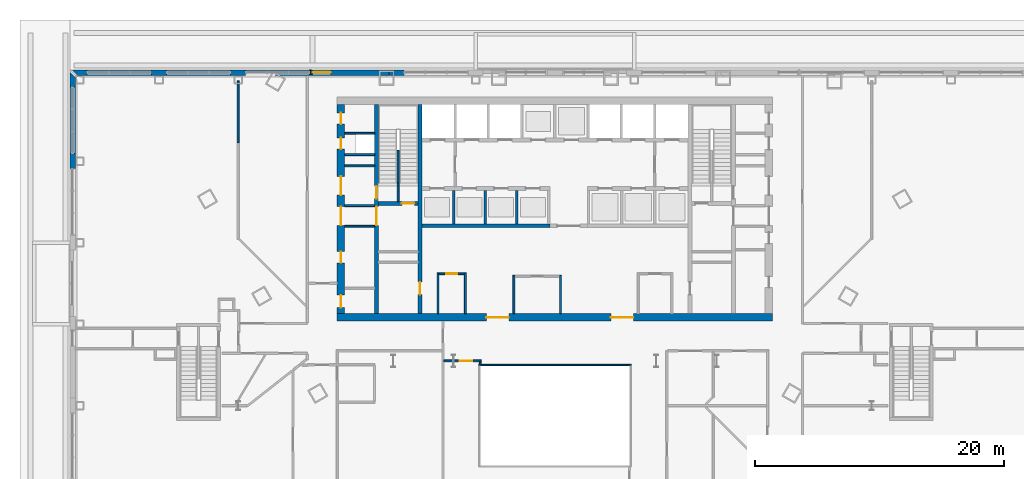
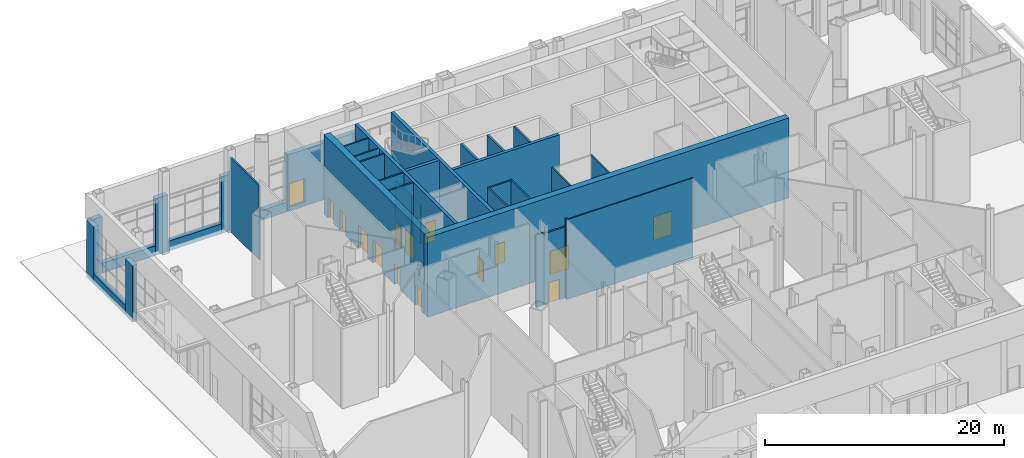
# One storey, part 20 of 34: 39 walls, 15 doors, 15 openings.
"""IFC4 building model written with IfcOpenShell, lengths in metres."""

from ifc_helpers import new_model, si_unit, direction, frame, frame_2d, origin, place, context, subcontext, project, spatial, polyline, rectangle, outline, extrude, material, layer, layer_set, type_object, element, fill, save


model = new_model("IFC4")

# Units and contexts
model_context = context("Model", 3, precision=1e-05, world=origin(), true_north=direction((0.0, 1.0)))
body_context = subcontext(model_context, "Body", "Model", "MODEL_VIEW")
ifc_project = project(units=[si_unit("LENGTHUNIT", "METRE"), si_unit("AREAUNIT", "SQUARE_METRE"), si_unit("VOLUMEUNIT", "CUBIC_METRE"), si_unit("PLANEANGLEUNIT", "RADIAN"), si_unit("MASSUNIT", "GRAM", prefix="KILO")], contexts=[model_context])

# Site, building, storey
site_placement = place(None, origin())
site = spatial("IfcSite", under=ifc_project, at=site_placement, CompositionType="ELEMENT")
building_placement = place(site_placement, origin())
building = spatial("IfcBuilding", under=site, at=building_placement, Name="Njiva Tower", CompositionType="ELEMENT")
storey_placement = place(building_placement, origin())
storey = spatial("IfcBuildingStorey", under=building, at=storey_placement, Name="L00", CompositionType="ELEMENT", Elevation=0.0)

# Walls
ifc_material_1 = material(Name="Blockwork", Category="masonry")
ifc_layer_1 = layer(ifc_material_1, 0.15)
ifc_layer_set_1 = layer_set([ifc_layer_1], Name="Blockwork")
wall_type_1 = type_object("IfcWallType", Name="WT1 Compartment partition 150", PredefinedType="PARTITIONING", material=ifc_layer_set_1)
for number, where, z_axis, x_axis, name in (
    (1, (-9.4, 0.6, 0.0), (0.0, 0.0, 1.0), (0.0, 1.0, 0.0), "Concierge office wall west"),
    (2, (-7.2, 0.6, 0.0), (0.0, 0.0, 1.0), (0.0, 1.0, 0.0), "Concierge office wall east"),
):
    element("IfcWall", number, at=place(storey_placement, frame(where, z_axis=z_axis, x_axis=x_axis)), inside=storey, type_object=wall_type_1, Name=name, PredefinedType="PARTITIONING", context=body_context, shape_type="SweptSolid", body=[
        extrude(rectangle(XDim=3.275, YDim=0.15, at=frame_2d((1.6375, 0.0))), origin(), (0.0, 0.0, 1.0), 8.18),
    ])

# Wall, opening, door
wall_1_placement = place(storey_placement, frame((-9.325, 3.8, 0.0), z_axis=(0.0, 0.0, 1.0), x_axis=(1.0, 0.0, 0.0)))
wall_1 = element("IfcWall", 3, at=wall_1_placement, inside=storey, type_object=wall_type_1, Name="Concierge office wall north", PredefinedType="PARTITIONING", context=body_context, shape_type="SweptSolid", body=[
    extrude(rectangle(XDim=2.05, YDim=0.15, at=frame_2d((1.025, 0.0))), origin(), (0.0, 0.0, 1.0), 8.18),
])
opening_1_placement = place(wall_1_placement, frame((0.575, 0.0, 0.0)))
opening_1 = element("IfcOpeningElement", 4, at=opening_1_placement, cuts=wall_1, Name="Opening L00-D938", PredefinedType="OPENING", context=body_context, shape_type="SweptSolid", body=[
    extrude(rectangle(XDim=0.9, YDim=2.1, at=frame_2d((0.45, 1.05))), frame((0.0, 0.085, 0.0), z_axis=(0.0, -1.0, 0.0), x_axis=(1.0, 0.0, 0.0)), (0.0, 0.0, 1.0), 0.17),
])
ifc_material_2 = material(Name="Steel fire door, painted", Category="steel")
door_type_1 = type_object("IfcDoorType", Name="D6 Fire-rated door 900x2100", OperationType="SINGLE_SWING_LEFT", PredefinedType="DOOR", material=ifc_material_2)
door_1_placement = place(opening_1_placement, origin())
door_1 = element("IfcDoor", 5, at=door_1_placement, inside=storey, type_object=door_type_1, Name="Concierge office door", OperationType="SINGLE_SWING_RIGHT", OverallHeight=2.1, OverallWidth=0.9, PredefinedType="DOOR", context=body_context, shape_type="SweptSolid", body=[
    extrude(rectangle(XDim=0.9, YDim=2.1, at=frame_2d((0.45, 1.05))), frame((0.0, 0.025, 0.0), z_axis=(0.0, -1.0, 0.0), x_axis=(1.0, 0.0, 0.0)), (0.0, 0.0, 1.0), 0.05),
])
fill(opening_1, door_1)

# Walls
for number, where, z_axis, x_axis, name in (
    (6, (-3.3, 0.6, 0.0), (0.0, 0.0, 1.0), (0.0, 1.0, 0.0), "Post room wall west"),
    (7, (0.45, 0.6, 0.0), (0.0, 0.0, 1.0), (0.0, 1.0, 0.0), "Post room wall east"),
):
    element("IfcWall", number, at=place(storey_placement, frame(where, z_axis=z_axis, x_axis=x_axis)), inside=storey, type_object=wall_type_1, Name=name, PredefinedType="PARTITIONING", context=body_context, shape_type="SweptSolid", body=[
        extrude(rectangle(XDim=3.075, YDim=0.15, at=frame_2d((1.5375, 0.0))), origin(), (0.0, 0.0, 1.0), 8.18),
    ])

# Wall, opening, door
ifc_material_3 = material(Name="Concrete C40/50", Category="concrete")
ifc_layer_2 = layer(ifc_material_3, 0.3)
ifc_layer_set_2 = layer_set([ifc_layer_2], Name="Concrete C40/50")
wall_type_2 = type_object("IfcWallType", Name="WT10 Stair enclosure wall 300", PredefinedType="SHEAR", material=ifc_layer_set_2)
wall_2_placement = place(storey_placement, frame((-10.85, 0.6, 0.0), z_axis=(0.0, 0.0, 1.0), x_axis=(0.0, 1.0, 0.0)))
wall_2 = element("IfcWall", 8, at=wall_2_placement, inside=storey, type_object=wall_type_2, Name="Stair wall west inner", PredefinedType="SHEAR", context=body_context, shape_type="SweptSolid", body=[
    extrude(rectangle(XDim=16.8, YDim=0.3, at=frame_2d((8.4, 0.0))), origin(), (0.0, 0.0, 1.0), 8.18),
])
opening_2_placement = place(wall_2_placement, frame((1.525, 0.0, 0.0)))
opening_2 = element("IfcOpeningElement", 9, at=opening_2_placement, cuts=wall_2, Name="Opening L00-D919", PredefinedType="OPENING", context=body_context, shape_type="SweptSolid", body=[
    extrude(rectangle(XDim=1.0, YDim=2.1, at=frame_2d((0.5, 1.05))), frame((0.0, 0.16, 0.0), z_axis=(0.0, -1.0, 0.0), x_axis=(1.0, 0.0, 0.0)), (0.0, 0.0, 1.0), 0.32),
])
ifc_material_4 = material(Name="Steel door, painted", Category="steel")
door_type_2 = type_object("IfcDoorType", Name="D5 Steel door 1000x2100", OperationType="SINGLE_SWING_LEFT", PredefinedType="DOOR", material=ifc_material_4)
door_2_placement = place(opening_2_placement, origin())
door_2 = element("IfcDoor", 10, at=door_2_placement, inside=storey, type_object=door_type_2, Name="Fire command room door", OperationType="SINGLE_SWING_RIGHT", OverallHeight=2.1, OverallWidth=1.0, PredefinedType="DOOR", context=body_context, shape_type="SweptSolid", body=[
    extrude(rectangle(XDim=1.0, YDim=2.1, at=frame_2d((0.5, 1.05))), frame((0.0, 0.025, 0.0), z_axis=(0.0, -1.0, 0.0), x_axis=(1.0, 0.0, 0.0)), (0.0, 0.0, 1.0), 0.05),
])
fill(opening_2, door_2)

# Wall, openings, doors
wall_3_placement = place(storey_placement, frame((-14.35, 0.6, 0.0), z_axis=(0.0, 0.0, 1.0), x_axis=(0.0, 1.0, 0.0)))
wall_3 = element("IfcWall", 11, at=wall_3_placement, inside=storey, type_object=wall_type_2, Name="Stair wall west outer", PredefinedType="SHEAR", context=body_context, shape_type="SweptSolid", body=[
    extrude(rectangle(XDim=16.8, YDim=0.3, at=frame_2d((8.4, 0.0))), origin(), (0.0, 0.0, 1.0), 8.18),
])
opening_3_placement = place(wall_3_placement, frame((9.25, 0.0, 0.0)))
opening_3 = element("IfcOpeningElement", 12, at=opening_3_placement, cuts=wall_3, Name="Opening L00-D918", PredefinedType="OPENING", context=body_context, shape_type="SweptSolid", body=[
    extrude(rectangle(XDim=1.0, YDim=2.1, at=frame_2d((0.5, 1.05))), frame((0.0, 0.16, 0.0), z_axis=(0.0, -1.0, 0.0), x_axis=(1.0, 0.0, 0.0)), (0.0, 0.0, 1.0), 0.32),
])
opening_4_placement = place(wall_3_placement, frame((7.1, 0.0, 0.0)))
opening_4 = element("IfcOpeningElement", 13, at=opening_4_placement, cuts=wall_3, Name="Opening L00-D924", PredefinedType="OPENING", context=body_context, shape_type="SweptSolid", body=[
    extrude(rectangle(XDim=1.5, YDim=2.4, at=frame_2d((0.75, 1.2))), frame((0.0, 0.16, 0.0), z_axis=(0.0, -1.0, 0.0), x_axis=(1.0, 0.0, 0.0)), (0.0, 0.0, 1.0), 0.32),
])
ifc_material_5 = material(Name="Glazed steel fire door", Category="steel")
door_type_3 = type_object("IfcDoorType", Name="D16 Exit door double 1500x2400 glazed", OperationType="DOUBLE_DOOR_SINGLE_SWING", PredefinedType="DOOR", material=ifc_material_5)
door_3_placement = place(opening_4_placement, origin())
door_3 = element("IfcDoor", 14, at=door_3_placement, inside=storey, type_object=door_type_3, Name="Stair A passage door", OperationType="DOUBLE_DOOR_SINGLE_SWING", OverallHeight=2.4, OverallWidth=1.5, PredefinedType="DOOR", context=body_context, shape_type="SweptSolid", body=[
    extrude(rectangle(XDim=1.5, YDim=2.4, at=frame_2d((0.75, 1.2))), frame((0.0, 0.025, 0.0), z_axis=(0.0, -1.0, 0.0), x_axis=(1.0, 0.0, 0.0)), (0.0, 0.0, 1.0), 0.05),
])
fill(opening_4, door_3)
door_type_4 = type_object("IfcDoorType", Name="D9 Stair vestibule door 1000x2100 glazed", OperationType="SINGLE_SWING_LEFT", PredefinedType="DOOR", material=ifc_material_5)
door_4_placement = place(opening_3_placement, origin())
door_4 = element("IfcDoor", 15, at=door_4_placement, inside=storey, type_object=door_type_4, Name="Stair A door", OperationType="SINGLE_SWING_LEFT", OverallHeight=2.1, OverallWidth=1.0, PredefinedType="DOOR", context=body_context, shape_type="SweptSolid", body=[
    extrude(rectangle(XDim=1.0, YDim=2.1, at=frame_2d((0.5, 1.05))), frame((0.0, 0.025, 0.0), z_axis=(0.0, -1.0, 0.0), x_axis=(1.0, 0.0, 0.0)), (0.0, 0.0, 1.0), 0.05),
])
fill(opening_3, door_4)

# Wall, opening, door
wall_4_placement = place(storey_placement, frame((-14.2, 9.45, 0.0), z_axis=(0.0, 0.0, 1.0), x_axis=(1.0, 0.0, 0.0)))
wall_4 = element("IfcWall", 16, at=wall_4_placement, inside=storey, type_object=wall_type_2, Name="Stair A south wall", PredefinedType="SHEAR", context=body_context, shape_type="SweptSolid", body=[
    extrude(rectangle(XDim=3.2, YDim=0.3, at=frame_2d((1.6, 0.0))), origin(), (0.0, 0.0, 1.0), 8.18),
])
opening_5_placement = place(wall_4_placement, frame((1.9, 0.0, 0.0)))
opening_5 = element("IfcOpeningElement", 17, at=opening_5_placement, cuts=wall_4, Name="Opening L00-D917", PredefinedType="OPENING", context=body_context, shape_type="SweptSolid", body=[
    extrude(rectangle(XDim=1.0, YDim=2.1, at=frame_2d((0.5, 1.05))), frame((0.0, 0.16, 0.0), z_axis=(0.0, -1.0, 0.0), x_axis=(1.0, 0.0, 0.0)), (0.0, 0.0, 1.0), 0.32),
])
door_5_placement = place(opening_5_placement, origin())
door_5 = element("IfcDoor", 18, at=door_5_placement, inside=storey, type_object=door_type_4, Name="Stair A door", OperationType="SINGLE_SWING_LEFT", OverallHeight=2.1, OverallWidth=1.0, PredefinedType="DOOR", context=body_context, shape_type="SweptSolid", body=[
    extrude(rectangle(XDim=1.0, YDim=2.1, at=frame_2d((0.5, 1.05))), frame((0.0, 0.025, 0.0), z_axis=(0.0, -1.0, 0.0), x_axis=(1.0, 0.0, 0.0)), (0.0, 0.0, 1.0), 0.05),
])
fill(opening_5, door_5)

# Wall, openings, doors
ifc_material_6 = material(Name="Concrete C60/75", Category="concrete")
ifc_layer_3 = layer(ifc_material_6, 0.6)
ifc_layer_set_3 = layer_set([ifc_layer_3], Name="Concrete C60/75")
wall_type_3 = type_object("IfcWallType", Name="WT15 Core wall 600", PredefinedType="SHEAR", material=ifc_layer_set_3)
wall_5_placement = place(storey_placement, frame((-17.5, 0.3, 0.0), z_axis=(0.0, 0.0, 1.0), x_axis=(1.0, 0.0, 0.0)))
wall_5 = element("IfcWall", 19, at=wall_5_placement, inside=storey, type_object=wall_type_3, Name="Core wall south", PredefinedType="SHEAR", context=body_context, shape_type="SweptSolid", body=[
    extrude(rectangle(XDim=35.0, YDim=0.6, at=frame_2d((17.5, 0.0))), origin(), (0.0, 0.0, 1.0), 8.18),
])
opening_6_placement = place(wall_5_placement, frame((12.0, 0.0, 0.0)))
opening_6 = element("IfcOpeningElement", 20, at=opening_6_placement, cuts=wall_5, Name="Opening L00-D942", PredefinedType="OPENING", context=body_context, shape_type="SweptSolid", body=[
    extrude(rectangle(XDim=1.8, YDim=2.4, at=frame_2d((0.9, 1.2))), frame((0.0, 0.31, 0.0), z_axis=(0.0, -1.0, 0.0), x_axis=(1.0, 0.0, 0.0)), (0.0, 0.0, 1.0), 0.62),
])
opening_7_placement = place(wall_5_placement, frame((22.0, 0.0, 0.0)))
opening_7 = element("IfcOpeningElement", 21, at=opening_7_placement, cuts=wall_5, Name="Opening L00-D943", PredefinedType="OPENING", context=body_context, shape_type="SweptSolid", body=[
    extrude(rectangle(XDim=1.8, YDim=2.4, at=frame_2d((0.9, 1.2))), frame((0.0, 0.31, 0.0), z_axis=(0.0, -1.0, 0.0), x_axis=(1.0, 0.0, 0.0)), (0.0, 0.0, 1.0), 0.62),
])
ifc_material_7 = material(Name="Steel and glass door", Category="steel")
door_type_5 = type_object("IfcDoorType", Name="D3 Core entrance door 1800x2400", OperationType="DOUBLE_DOOR_SINGLE_SWING", PredefinedType="DOOR", material=ifc_material_7)
door_6_placement = place(opening_6_placement, origin())
door_6 = element("IfcDoor", 22, at=door_6_placement, inside=storey, type_object=door_type_5, Name="Core entrance door", OperationType="DOUBLE_DOOR_SINGLE_SWING", OverallHeight=2.4, OverallWidth=1.8, PredefinedType="DOOR", context=body_context, shape_type="SweptSolid", body=[
    extrude(rectangle(XDim=1.8, YDim=2.4, at=frame_2d((0.9, 1.2))), frame((0.0, 0.025, 0.0), z_axis=(0.0, -1.0, 0.0), x_axis=(1.0, 0.0, 0.0)), (0.0, 0.0, 1.0), 0.05),
])
fill(opening_6, door_6)
door_7_placement = place(opening_7_placement, origin())
door_7 = element("IfcDoor", 23, at=door_7_placement, inside=storey, type_object=door_type_5, Name="Core entrance door", OperationType="DOUBLE_DOOR_SINGLE_SWING", OverallHeight=2.4, OverallWidth=1.8, PredefinedType="DOOR", context=body_context, shape_type="SweptSolid", body=[
    extrude(rectangle(XDim=1.8, YDim=2.4, at=frame_2d((0.9, 1.2))), frame((0.0, 0.025, 0.0), z_axis=(0.0, -1.0, 0.0), x_axis=(1.0, 0.0, 0.0)), (0.0, 0.0, 1.0), 0.05),
])
fill(opening_7, door_7)

wall_6_placement = place(storey_placement, frame((-17.2, 0.6, 0.0), z_axis=(0.0, 0.0, 1.0), x_axis=(0.0, 1.0, 0.0)))
wall_6 = element("IfcWall", 24, at=wall_6_placement, inside=storey, type_object=wall_type_3, Name="Core wall west", PredefinedType="SHEAR", context=body_context, shape_type="SweptSolid", body=[
    extrude(rectangle(XDim=16.8, YDim=0.6, at=frame_2d((8.4, 0.0))), origin(), (0.0, 0.0, 1.0), 8.18),
])
opening_8_placement = place(wall_6_placement, frame((7.1, 0.0, 0.0)))
opening_8 = element("IfcOpeningElement", 25, at=opening_8_placement, cuts=wall_6, Name="Opening L00-D925", PredefinedType="OPENING", context=body_context, shape_type="SweptSolid", body=[
    extrude(rectangle(XDim=1.5, YDim=2.4, at=frame_2d((0.75, 1.2))), frame((0.0, 0.31, 0.0), z_axis=(0.0, -1.0, 0.0), x_axis=(1.0, 0.0, 0.0)), (0.0, 0.0, 1.0), 0.62),
])
opening_9_placement = place(wall_6_placement, frame((9.525, 0.0, 0.0)))
opening_9 = element("IfcOpeningElement", 26, at=opening_9_placement, cuts=wall_6, Name="Opening L00-D926", PredefinedType="OPENING", context=body_context, shape_type="SweptSolid", body=[
    extrude(rectangle(XDim=1.5, YDim=2.4, at=frame_2d((0.75, 1.2))), frame((0.0, 0.31, 0.0), z_axis=(0.0, -1.0, 0.0), x_axis=(1.0, 0.0, 0.0)), (0.0, 0.0, 1.0), 0.62),
])
opening_10_placement = place(wall_6_placement, frame((0.4793, 0.0, 0.0)))
opening_10 = element("IfcOpeningElement", 27, at=opening_10_placement, cuts=wall_6, Name="Opening L00-D927", PredefinedType="OPENING", context=body_context, shape_type="SweptSolid", body=[
    extrude(rectangle(XDim=1.0, YDim=2.1, at=frame_2d((0.5, 1.05))), frame((0.0, 0.31, 0.0), z_axis=(0.0, -1.0, 0.0), x_axis=(1.0, 0.0, 0.0)), (0.0, 0.0, 1.0), 0.62),
])
opening_11_placement = place(wall_6_placement, frame((4.0793, 0.0, 0.0)))
opening_11 = element("IfcOpeningElement", 28, at=opening_11_placement, cuts=wall_6, Name="Opening L00-D928", PredefinedType="OPENING", context=body_context, shape_type="SweptSolid", body=[
    extrude(rectangle(XDim=0.9, YDim=2.1, at=frame_2d((0.45, 1.05))), frame((0.0, 0.31, 0.0), z_axis=(0.0, -1.0, 0.0), x_axis=(1.0, 0.0, 0.0)), (0.0, 0.0, 1.0), 0.62),
])
opening_12_placement = place(wall_6_placement, frame((13.225, 0.0, 0.0)))
opening_12 = element("IfcOpeningElement", 29, at=opening_12_placement, cuts=wall_6, Name="Opening L00-D929", PredefinedType="OPENING", context=body_context, shape_type="SweptSolid", body=[
    extrude(rectangle(XDim=0.9, YDim=2.1, at=frame_2d((0.45, 1.05))), frame((0.0, 0.31, 0.0), z_axis=(0.0, -1.0, 0.0), x_axis=(1.0, 0.0, 0.0)), (0.0, 0.0, 1.0), 0.62),
])
opening_13_placement = place(wall_6_placement, frame((15.2375, 0.0, 0.0)))
opening_13 = element("IfcOpeningElement", 30, at=opening_13_placement, cuts=wall_6, Name="Opening L00-D930", PredefinedType="OPENING", context=body_context, shape_type="SweptSolid", body=[
    extrude(rectangle(XDim=0.9, YDim=2.1, at=frame_2d((0.45, 1.05))), frame((0.0, 0.31, 0.0), z_axis=(0.0, -1.0, 0.0), x_axis=(1.0, 0.0, 0.0)), (0.0, 0.0, 1.0), 0.62),
])
door_8_placement = place(opening_8_placement, origin())
door_8 = element("IfcDoor", 31, at=door_8_placement, inside=storey, type_object=door_type_3, Name="Stair A corridor door", OperationType="DOUBLE_DOOR_SINGLE_SWING", OverallHeight=2.4, OverallWidth=1.5, PredefinedType="DOOR", context=body_context, shape_type="SweptSolid", body=[
    extrude(rectangle(XDim=1.5, YDim=2.4, at=frame_2d((0.75, 1.2))), frame((0.0, 0.025, 0.0), z_axis=(0.0, -1.0, 0.0), x_axis=(1.0, 0.0, 0.0)), (0.0, 0.0, 1.0), 0.05),
])
fill(opening_8, door_8)
door_9_placement = place(opening_9_placement, origin())
door_9 = element("IfcDoor", 32, at=door_9_placement, inside=storey, type_object=door_type_3, Name="Stair A corridor door", OperationType="DOUBLE_DOOR_SINGLE_SWING", OverallHeight=2.4, OverallWidth=1.5, PredefinedType="DOOR", context=body_context, shape_type="SweptSolid", body=[
    extrude(rectangle(XDim=1.5, YDim=2.4, at=frame_2d((0.75, 1.2))), frame((0.0, 0.025, 0.0), z_axis=(0.0, -1.0, 0.0), x_axis=(1.0, 0.0, 0.0)), (0.0, 0.0, 1.0), 0.05),
])
fill(opening_9, door_9)
door_type_6 = type_object("IfcDoorType", Name="D4 Riser door 900x2100", OperationType="SINGLE_SWING_LEFT", PredefinedType="DOOR", material=ifc_material_4)
door_10_placement = place(opening_12_placement, origin())
door_10 = element("IfcDoor", 33, at=door_10_placement, inside=storey, type_object=door_type_6, Name="Riser door", OperationType="SINGLE_SWING_LEFT", OverallHeight=2.1, OverallWidth=0.9, PredefinedType="DOOR", context=body_context, shape_type="SweptSolid", body=[
    extrude(rectangle(XDim=0.9, YDim=2.1, at=frame_2d((0.45, 1.05))), frame((0.0, 0.025, 0.0), z_axis=(0.0, -1.0, 0.0), x_axis=(1.0, 0.0, 0.0)), (0.0, 0.0, 1.0), 0.05),
])
fill(opening_12, door_10)
door_11_placement = place(opening_10_placement, origin())
door_11 = element("IfcDoor", 34, at=door_11_placement, inside=storey, type_object=door_type_2, Name="Electrical room door", OperationType="SINGLE_SWING_LEFT", OverallHeight=2.1, OverallWidth=1.0, PredefinedType="DOOR", context=body_context, shape_type="SweptSolid", body=[
    extrude(rectangle(XDim=1.0, YDim=2.1, at=frame_2d((0.5, 1.05))), frame((0.0, 0.025, 0.0), z_axis=(0.0, -1.0, 0.0), x_axis=(1.0, 0.0, 0.0)), (0.0, 0.0, 1.0), 0.05),
])
fill(opening_10, door_11)
door_12_placement = place(opening_11_placement, origin())
door_12 = element("IfcDoor", 35, at=door_12_placement, inside=storey, type_object=door_type_1, Name="First aid room door", OperationType="SINGLE_SWING_LEFT", OverallHeight=2.1, OverallWidth=0.9, PredefinedType="DOOR", context=body_context, shape_type="SweptSolid", body=[
    extrude(rectangle(XDim=0.9, YDim=2.1, at=frame_2d((0.45, 1.05))), frame((0.0, 0.025, 0.0), z_axis=(0.0, -1.0, 0.0), x_axis=(1.0, 0.0, 0.0)), (0.0, 0.0, 1.0), 0.05),
])
fill(opening_11, door_12)
door_13_placement = place(opening_13_placement, origin())
door_13 = element("IfcDoor", 36, at=door_13_placement, inside=storey, type_object=door_type_1, Name="Cable store door", OperationType="SINGLE_SWING_RIGHT", OverallHeight=2.1, OverallWidth=0.9, PredefinedType="DOOR", context=body_context, shape_type="SweptSolid", body=[
    extrude(rectangle(XDim=0.9, YDim=2.1, at=frame_2d((0.45, 1.05))), frame((0.0, 0.025, 0.0), z_axis=(0.0, -1.0, 0.0), x_axis=(1.0, 0.0, 0.0)), (0.0, 0.0, 1.0), 0.05),
])
fill(opening_13, door_13)

# Walls
ifc_material_8 = material(Name="Gypsum board on steel studs", Category="gypsum")
ifc_layer_4 = layer(ifc_material_8, 0.15)
ifc_layer_set_4 = layer_set([ifc_layer_4], Name="Gypsum board on steel studs")
wall_type_4 = type_object("IfcWallType", Name="WT21 Compartment wall 150", PredefinedType="PARTITIONING", material=ifc_layer_set_4)
wall_7_placement = place(storey_placement, frame((-25.467, 14.328, 0.0), z_axis=(0.0, 0.0, 1.0), x_axis=(0.0, 1.0, 0.0)))
element("IfcWall", 37, at=wall_7_placement, inside=storey, type_object=wall_type_4, Name="Partition L00-P011A", PredefinedType="PARTITIONING", context=body_context, shape_type="SweptSolid", body=[
    extrude(rectangle(XDim=4.972, YDim=0.15, at=frame_2d((2.486, 0.0))), origin(), (0.0, 0.0, 1.0), 7.58),
])
wall_8_placement = place(storey_placement, frame((-8.925, -3.2, 0.0), z_axis=(0.0, 0.0, 1.0), x_axis=(1.0, 0.0, 0.0)))
element("IfcWall", 38, at=wall_8_placement, inside=storey, type_object=wall_type_4, Name="Partition L00-P038", PredefinedType="PARTITIONING", context=body_context, shape_type="SweptSolid", body=[
    extrude(rectangle(XDim=0.775, YDim=0.15, at=frame_2d((0.3875, 0.0))), origin(), (0.0, 0.0, 1.0), 7.39),
])

# Wall, opening, door
wall_9_placement = place(storey_placement, frame((-8.15, -3.2, 0.0), z_axis=(0.0, 0.0, 1.0), x_axis=(1.0, 0.0, 0.0)))
wall_9 = element("IfcWall", 39, at=wall_9_placement, inside=storey, type_object=wall_type_4, Name="Partition L00-P038A", PredefinedType="PARTITIONING", context=body_context, shape_type="SweptSolid", body=[
    extrude(rectangle(XDim=2.225, YDim=0.15, at=frame_2d((1.1125, 0.0))), origin(), (0.0, 0.0, 1.0), 7.27),
])
opening_14_placement = place(wall_9_placement, frame((0.513, 0.0, 0.0)))
opening_14 = element("IfcOpeningElement", 40, at=opening_14_placement, cuts=wall_9, Name="Opening L00-D013", PredefinedType="OPENING", context=body_context, shape_type="SweptSolid", body=[
    extrude(rectangle(XDim=1.0, YDim=2.1, at=frame_2d((0.5, 1.05))), frame((0.0, 0.085, 0.0), z_axis=(0.0, -1.0, 0.0), x_axis=(1.0, 0.0, 0.0)), (0.0, 0.0, 1.0), 0.17),
])
ifc_material_9 = material(Name="Steel fire door set", Category="steel")
door_type_7 = type_object("IfcDoorType", Name="D37 Fire door 1000x2100", OperationType="SINGLE_SWING_LEFT", PredefinedType="DOOR", material=ifc_material_9)
door_14_placement = place(opening_14_placement, origin())
door_14 = element("IfcDoor", 41, at=door_14_placement, inside=storey, type_object=door_type_7, Name="Door L00-D013", OperationType="SINGLE_SWING_RIGHT", OverallHeight=2.1, OverallWidth=1.0, PredefinedType="DOOR", context=body_context, shape_type="SweptSolid", body=[
    extrude(rectangle(XDim=1.0, YDim=2.1, at=frame_2d((0.5, 1.05))), frame((0.0, 0.025, 0.0), z_axis=(0.0, -1.0, 0.0), x_axis=(1.0, 0.0, 0.0)), (0.0, 0.0, 1.0), 0.05),
])
fill(opening_14, door_14)

# Walls
wall_10_placement = place(storey_placement, frame((-6.0, -3.48, 0.0), z_axis=(0.0, 0.0, 1.0), x_axis=(0.0, 1.0, 0.0)))
element("IfcWall", 42, at=wall_10_placement, inside=storey, type_object=wall_type_4, Name="Partition L00-P044", PredefinedType="PARTITIONING", context=body_context, shape_type="SweptSolid", body=[
    extrude(rectangle(XDim=0.205, YDim=0.15, at=frame_2d((0.1025, 0.0))), origin(), (0.0, 0.0, 1.0), 8.18),
])
ifc_layer_5 = layer(ifc_material_1, 0.15)
ifc_layer_set_5 = layer_set([ifc_layer_5], Name="Blockwork")
wall_type_5 = type_object("IfcWallType", Name="WT3 Riser partition 150", PredefinedType="PARTITIONING", material=ifc_layer_set_5)
wall_11_placement = place(storey_placement, frame((-16.9, 15.1, 0.0), z_axis=(0.0, 0.0, 1.0), x_axis=(1.0, 0.0, 0.0)))
element("IfcWall", 43, at=wall_11_placement, inside=storey, type_object=wall_type_5, Name="Partition strip W10", PredefinedType="PARTITIONING", context=body_context, shape_type="SweptSolid", body=[
    extrude(rectangle(XDim=2.4, YDim=0.15, at=frame_2d((1.2, 0.0))), origin(), (0.0, 0.0, 1.0), 8.18),
])
ifc_layer_6 = layer(ifc_material_1, 0.15)
ifc_layer_set_6 = layer_set([ifc_layer_6], Name="Blockwork")
wall_type_6 = type_object("IfcWallType", Name="WT4 Stair partition 150", PredefinedType="PARTITIONING", material=ifc_layer_set_6)
wall_12_placement = place(storey_placement, frame((-12.6, 9.6, 0.0), z_axis=(0.0, 0.0, 1.0), x_axis=(0.0, 1.0, 0.0)))
element("IfcWall", 44, at=wall_12_placement, inside=storey, type_object=wall_type_6, Name="Stair A dividing wall", PredefinedType="PARTITIONING", context=body_context, shape_type="SweptSolid", body=[
    extrude(rectangle(XDim=1.26, YDim=0.15, at=frame_2d((0.63, 0.0))), origin(), (0.0, 0.0, 1.0), 4.0),
])
wall_13_placement = place(storey_placement, frame((-12.6, 10.86, 0.0), z_axis=(0.0, 0.0, 1.0), x_axis=(0.0, 1.0, 0.0)))
element("IfcWall", 45, at=wall_13_placement, inside=storey, type_object=wall_type_6, Name="Stair A dividing wall", PredefinedType="PARTITIONING", context=body_context, shape_type="SweptSolid", body=[
    extrude(rectangle(XDim=0.24, YDim=0.15, at=frame_2d((0.12, 0.0))), origin(), (0.0, 0.0, 1.0), 3.77),
])
wall_14_placement = place(storey_placement, frame((-12.6, 11.1, 0.0), z_axis=(0.0, 0.0, 1.0), x_axis=(0.0, 1.0, 0.0)))
element("IfcWall", 46, at=wall_14_placement, inside=storey, type_object=wall_type_6, Name="Stair A dividing wall", PredefinedType="PARTITIONING", context=body_context, shape_type="SweptSolid", body=[
    extrude(rectangle(XDim=2.62, YDim=0.15, at=frame_2d((1.31, 0.0))), origin(), (0.0, 0.0, 1.0), 4.0),
])
for number, where, z_axis, x_axis, name in (
    (47, (-16.9, 7.625, 0.0), (0.0, 0.0, 1.0), (1.0, 0.0, 0.0), "Stair A exit passage wall south"),
    (48, (-16.9, 9.275, 0.0), (0.0, 0.0, 1.0), (1.0, 0.0, 0.0), "Stair A upper vestibule wall south"),
    (49, (-16.9, 12.475, 0.0), (0.0, 0.0, 1.0), (1.0, 0.0, 0.0), "Stair A upper vestibule wall north"),
    (50, (-16.9, 13.375, 0.0), (0.0, 0.0, 1.0), (1.0, 0.0, 0.0), "Stair A upper pressurisation shaft wall"),
):
    element("IfcWall", number, at=place(storey_placement, frame(where, z_axis=z_axis, x_axis=x_axis)), inside=storey, type_object=wall_type_6, Name=name, PredefinedType="PARTITIONING", context=body_context, shape_type="SweptSolid", body=[
        extrude(rectangle(XDim=2.4, YDim=0.15, at=frame_2d((1.2, 0.0))), origin(), (0.0, 0.0, 1.0), 8.18),
    ])
ifc_layer_7 = layer(ifc_material_3, 0.2)
ifc_layer_set_7 = layer_set([ifc_layer_7], Name="Concrete C40/50")
wall_type_7 = type_object("IfcWallType", Name="WT6 Lift shaft wall 200", PredefinedType="SHEAR", material=ifc_layer_set_7)
for number, where, z_axis, x_axis, name in (
    (51, (-8.15, 7.8, 0.0), (0.0, 0.0, 1.0), (0.0, 1.0, 0.0), "Shaft wall CS1"),
    (52, (-5.6, 7.8, 0.0), (0.0, 0.0, 1.0), (0.0, 1.0, 0.0), "Shaft wall CS2"),
    (53, (-3.05, 7.8, 0.0), (0.0, 0.0, 1.0), (0.0, 1.0, 0.0), "Shaft wall CS3"),
):
    element("IfcWall", number, at=place(storey_placement, frame(where, z_axis=z_axis, x_axis=x_axis)), inside=storey, type_object=wall_type_7, Name=name, PredefinedType="SHEAR", context=body_context, shape_type="SweptSolid", body=[
        extrude(rectangle(XDim=2.7, YDim=0.2, at=frame_2d((1.35, 0.0))), origin(), (0.0, 0.0, 1.0), 8.18),
    ])
ifc_layer_8 = layer(ifc_material_3, 0.3)
ifc_layer_set_8 = layer_set([ifc_layer_8], Name="Concrete C40/50")
wall_type_8 = type_object("IfcWallType", Name="WT7 Lift shaft wall 300", PredefinedType="SHEAR", material=ifc_layer_set_8)
wall_15_placement = place(storey_placement, frame((-10.7, 7.65, 0.0), z_axis=(0.0, 0.0, 1.0), x_axis=(1.0, 0.0, 0.0)))
element("IfcWall", 54, at=wall_15_placement, inside=storey, type_object=wall_type_8, Name="Shaft wall south row back W", PredefinedType="SHEAR", context=body_context, shape_type="SweptSolid", body=[
    extrude(rectangle(XDim=10.3, YDim=0.3, at=frame_2d((5.15, 0.0))), origin(), (0.0, 0.0, 1.0), 8.18),
])
ifc_material_10 = material(Name="Brick masonry", Category="masonry")
ifc_layer_9 = layer(ifc_material_10, 0.45)
ifc_layer_set_9 = layer_set([ifc_layer_9], Name="Brick masonry")
wall_type_9 = type_object("IfcWallType", Name="WT90 Brick pier and spandrel wall 450", PredefinedType="SOLIDWALL", material=ifc_layer_set_9)
wall_16_placement = place(storey_placement, frame((-12.1333, 19.975, -0.4), z_axis=(0.0, 0.0, 1.0), x_axis=(-1.0, 0.0, 0.0)))
element("IfcWall", 55, at=wall_16_placement, inside=storey, type_object=wall_type_9, Name="Podium pier N9", PredefinedType="SOLIDWALL", context=body_context, shape_type="SweptSolid", body=[
    extrude(outline(polyline([(0.0, -0.225), (1.2, -0.225), (1.2, 0.225), (0.0, 0.225), (0.0, -0.225)])), origin(), (0.0, 0.0, 1.0), 5.8),
])
wall_17_placement = place(storey_placement, frame((-19.6, 19.975, -0.4), z_axis=(0.0, 0.0, 1.0), x_axis=(-1.0, 0.0, 0.0)))
element("IfcWall", 56, at=wall_17_placement, inside=storey, type_object=wall_type_9, Name="Podium pier N10", PredefinedType="SOLIDWALL", context=body_context, shape_type="SweptSolid", body=[
    extrude(outline(polyline([(0.0, -0.225), (0.1, -0.225), (0.1, 0.225), (0.0, 0.225), (0.0, -0.225)])), origin(), (0.0, 0.0, 1.0), 5.8),
])
for number, where, z_axis, x_axis, name in (
    (57, (-24.8667, 19.975, -0.4), (0.0, 0.0, 1.0), (-1.0, 0.0, 0.0), "Podium pier N11"),
    (58, (-31.2333, 19.975, -0.4), (0.0, 0.0, 1.0), (-1.0, 0.0, 0.0), "Podium pier N12"),
):
    element("IfcWall", number, at=place(storey_placement, frame(where, z_axis=z_axis, x_axis=x_axis)), inside=storey, type_object=wall_type_9, Name=name, PredefinedType="SOLIDWALL", context=body_context, shape_type="SweptSolid", body=[
        extrude(outline(polyline([(0.0, -0.225), (1.2, -0.225), (1.2, 0.225), (0.0, 0.225), (0.0, -0.225)])), origin(), (0.0, 0.0, 1.0), 5.8),
    ])
wall_18_placement = place(storey_placement, frame((-37.6, 19.975, -0.4), z_axis=(0.0, 0.0, 1.0), x_axis=(-1.0, 0.0, 0.0)))
element("IfcWall", 59, at=wall_18_placement, inside=storey, type_object=wall_type_9, Name="Podium pier N13", PredefinedType="SOLIDWALL", context=body_context, shape_type="SweptSolid", body=[
    extrude(outline(polyline([(0.0, -0.225), (1.2, -0.225), (0.75, 0.225), (0.0, 0.225), (0.0, -0.225)])), origin(), (0.0, 0.0, 1.0), 5.8),
])
wall_19_placement = place(storey_placement, frame((-19.7, 19.975, -0.4), z_axis=(0.0, 0.0, 1.0), x_axis=(-1.0, 0.0, 0.0)))
element("IfcWall", 60, at=wall_19_placement, inside=storey, type_object=wall_type_9, Name="Shopfront plinth N10", PredefinedType="SOLIDWALL", context=body_context, shape_type="SweptSolid", body=[
    extrude(outline(polyline([(0.0, -0.225), (5.1667, -0.225), (5.1667, 0.225), (0.0, 0.225), (0.0, -0.225)])), origin(), (0.0, 0.0, 1.0), 1.0),
])
wall_20_placement = place(storey_placement, frame((-26.0667, 19.975, -0.4), z_axis=(0.0, 0.0, 1.0), x_axis=(-1.0, 0.0, 0.0)))
element("IfcWall", 61, at=wall_20_placement, inside=storey, type_object=wall_type_9, Name="Shopfront plinth N11", PredefinedType="SOLIDWALL", context=body_context, shape_type="SweptSolid", body=[
    extrude(outline(polyline([(0.0, -0.225), (5.1666, -0.225), (5.1666, 0.225), (0.0, 0.225), (0.0, -0.225)])), origin(), (0.0, 0.0, 1.0), 1.0),
])
wall_21_placement = place(storey_placement, frame((-32.4333, 19.975, -0.4), z_axis=(0.0, 0.0, 1.0), x_axis=(-1.0, 0.0, 0.0)))
element("IfcWall", 62, at=wall_21_placement, inside=storey, type_object=wall_type_9, Name="Shopfront plinth N12", PredefinedType="SOLIDWALL", context=body_context, shape_type="SweptSolid", body=[
    extrude(outline(polyline([(0.0, -0.225), (5.1667, -0.225), (5.1667, 0.225), (0.0, 0.225), (0.0, -0.225)])), origin(), (0.0, 0.0, 1.0), 1.0),
])
wall_22_placement = place(storey_placement, frame((-38.775, 19.775, -0.4), z_axis=(0.0, 0.0, 1.0), x_axis=(0.0, -1.0, 0.0)))
element("IfcWall", 63, at=wall_22_placement, inside=storey, type_object=wall_type_9, Name="Podium pier W1", PredefinedType="SOLIDWALL", context=body_context, shape_type="SweptSolid", body=[
    extrude(outline(polyline([(-0.225, -0.225), (0.975, -0.225), (0.975, 0.225), (0.225, 0.225), (-0.225, -0.225)])), origin(), (0.0, 0.0, 1.0), 5.8),
])
wall_23_placement = place(storey_placement, frame((-38.775, 13.45, -0.4), z_axis=(0.0, 0.0, 1.0), x_axis=(0.0, -1.0, 0.0)))
element("IfcWall", 64, at=wall_23_placement, inside=storey, type_object=wall_type_9, Name="Podium pier W2", PredefinedType="SOLIDWALL", context=body_context, shape_type="SweptSolid", body=[
    extrude(outline(polyline([(0.0, -0.225), (1.2, -0.225), (1.2, 0.225), (0.0, 0.225), (0.0, -0.225)])), origin(), (0.0, 0.0, 1.0), 5.8),
])
wall_24_placement = place(storey_placement, frame((-38.775, 18.8, -0.4), z_axis=(0.0, 0.0, 1.0), x_axis=(0.0, -1.0, 0.0)))
element("IfcWall", 65, at=wall_24_placement, inside=storey, type_object=wall_type_9, Name="Shopfront plinth W1", PredefinedType="SOLIDWALL", context=body_context, shape_type="SweptSolid", body=[
    extrude(outline(polyline([(0.0, -0.225), (5.35, -0.225), (5.35, 0.225), (0.0, 0.225), (0.0, -0.225)])), origin(), (0.0, 0.0, 1.0), 1.0),
])

# Wall, opening, door
ifc_layer_10 = layer(ifc_material_10, 0.45)
ifc_layer_set_10 = layer_set([ifc_layer_10], Name="Brick masonry")
wall_type_10 = type_object("IfcWallType", Name="WT91 Entrance infill wall 450", PredefinedType="SOLIDWALL", material=ifc_layer_set_10)
wall_25_placement = place(storey_placement, frame((-13.3333, 19.975, -0.4), z_axis=(0.0, 0.0, 1.0), x_axis=(-1.0, 0.0, 0.0)))
wall_25 = element("IfcWall", 66, at=wall_25_placement, inside=storey, type_object=wall_type_10, Name="Exit infill N9", PredefinedType="SOLIDWALL", context=body_context, shape_type="SweptSolid", body=[
    extrude(outline(polyline([(0.0, -0.225), (6.2667, -0.225), (6.2667, 0.225), (0.0, 0.225), (0.0, -0.225)])), origin(), (0.0, 0.0, 1.0), 5.8),
])
opening_15_placement = place(wall_25_placement, frame((4.6667, 0.0, 0.4)))
opening_15 = element("IfcOpeningElement", 67, at=opening_15_placement, cuts=wall_25, Name="Opening L00-ED3", PredefinedType="OPENING", context=body_context, shape_type="SweptSolid", body=[
    extrude(rectangle(XDim=1.5, YDim=2.4, at=frame_2d((0.75, 1.2))), frame((0.0, 0.235, 0.0), z_axis=(0.0, -1.0, 0.0), x_axis=(1.0, 0.0, 0.0)), (0.0, 0.0, 1.0), 0.47),
])
ifc_material_11 = material(Name="Steel frame door leaf", Category="steel")
door_type_8 = type_object("IfcDoorType", Name="D97 Exit discharge door set 1500x2400", OperationType="DOUBLE_DOOR_SINGLE_SWING", PredefinedType="DOOR", material=ifc_material_11)
door_15_placement = place(opening_15_placement, frame((1.5, 0.0, 0.0), z_axis=(0.0, 0.0, 1.0), x_axis=(-1.0, 0.0, 0.0)))
door_15 = element("IfcDoor", 68, at=door_15_placement, inside=storey, type_object=door_type_8, Name="Exit door FCA", OperationType="DOUBLE_DOOR_SINGLE_SWING", OverallHeight=2.4, OverallWidth=1.5, PredefinedType="DOOR", context=body_context, shape_type="SweptSolid", body=[
    extrude(rectangle(XDim=1.5, YDim=2.4, at=frame_2d((0.75, 1.2))), frame((0.0, 0.025, 0.0), z_axis=(0.0, -1.0, 0.0), x_axis=(1.0, 0.0, 0.0)), (0.0, 0.0, 1.0), 0.05),
])
fill(opening_15, door_15)

# Wall
ifc_material_12 = material(Name="Fire-resisting glazing EI 90", Category="glass")
ifc_layer_11 = layer(ifc_material_12, 0.1)
ifc_layer_set_11 = layer_set([ifc_layer_11], Name="Fire-resisting glazing EI 90")
wall_type_11 = type_object("IfcWallType", Name="WT95 Fire-resisting glazed screen EI 90", PredefinedType="PARTITIONING", material=ifc_layer_set_11)
wall_26_placement = place(storey_placement, frame((6.12, -3.53, 0.0), z_axis=(0.0, 0.0, 1.0), x_axis=(-1.0, 0.0, 0.0)))
element("IfcWall", 69, at=wall_26_placement, inside=storey, type_object=wall_type_11, Name="Atrium fire screen north", PredefinedType="PARTITIONING", context=body_context, shape_type="SweptSolid", body=[
    extrude(rectangle(XDim=12.24, YDim=0.1, at=frame_2d((6.12, 0.0))), origin(), (0.0, 0.0, 1.0), 8.18),
])

save(model, "model.ifc")
